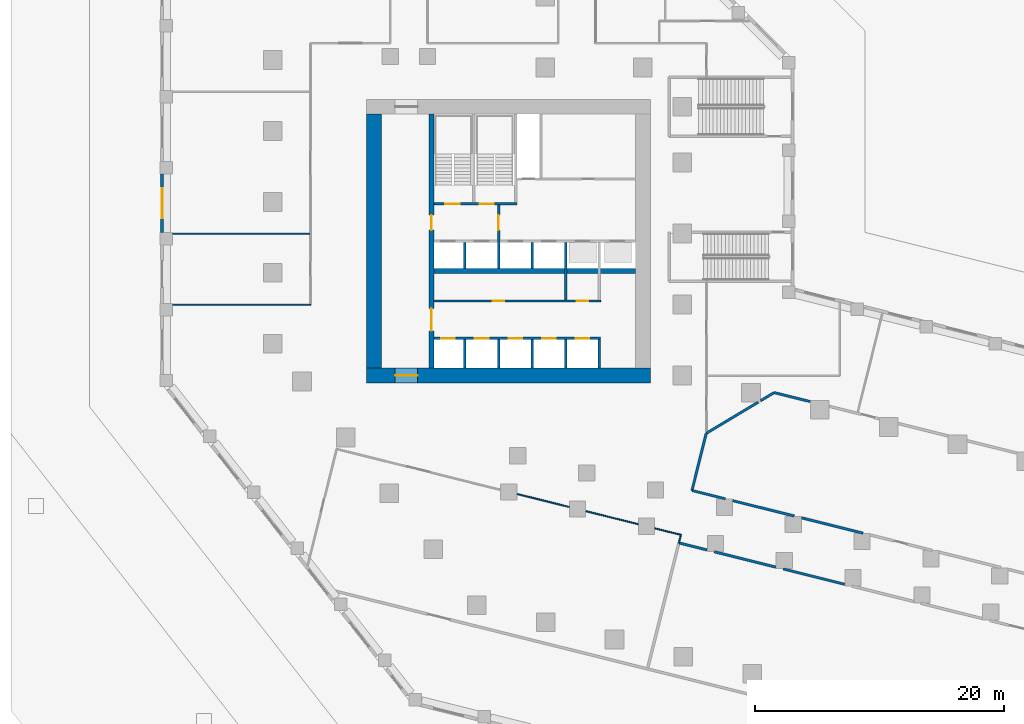
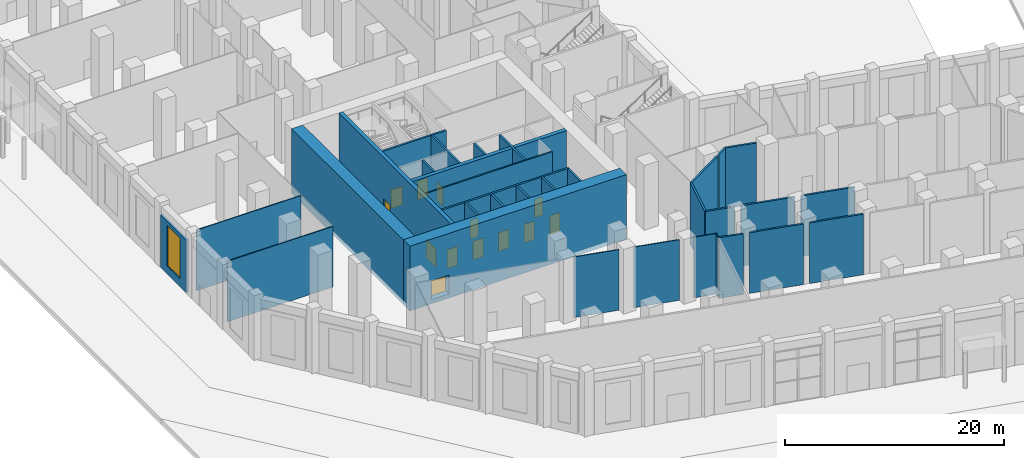
# One storey, part 12 of 27: 33 walls, 13 doors, 1 window, 14 openings.
"""IFC4 building model written with IfcOpenShell, lengths in metres."""

from ifc_helpers import new_model, si_unit, direction, frame, frame_2d, origin, place, context, subcontext, project, spatial, rectangle, extrude, material, layer, layer_set, type_object, element, fill, save


model = new_model("IFC4")

# Units and contexts
model_context = context("Model", 3, precision=1e-05, world=origin(), true_north=direction((0.0, 1.0)))
body_context = subcontext(model_context, "Body", "Model", "MODEL_VIEW")
ifc_project = project(units=[si_unit("LENGTHUNIT", "METRE"), si_unit("AREAUNIT", "SQUARE_METRE"), si_unit("VOLUMEUNIT", "CUBIC_METRE"), si_unit("PLANEANGLEUNIT", "RADIAN"), si_unit("MASSUNIT", "GRAM", prefix="KILO")], contexts=[model_context])

# Site, building, storey
site_placement = place(None, origin())
site = spatial("IfcSite", under=ifc_project, at=site_placement, CompositionType="ELEMENT")
building_placement = place(site_placement, origin())
building = spatial("IfcBuilding", under=site, at=building_placement, Name="Meshkara Civic Tower", CompositionType="ELEMENT")
storey_placement = place(building_placement, origin())
storey = spatial("IfcBuildingStorey", under=building, at=storey_placement, Name="L00", CompositionType="ELEMENT", Elevation=0.0)

# Wall, openings, doors
ifc_material_1 = material(Name="Blockwork", Category="masonry")
ifc_layer_1 = layer(ifc_material_1, 0.14990234375)
ifc_layer_set_1 = layer_set([ifc_layer_1], Name="Core partition 150")
wall_type_1 = type_object("IfcWallType", Name="Core partition 150", PredefinedType="PARTITIONING", material=ifc_layer_set_1)
wall_1_placement = place(storey_placement, frame((13.39990234375, 20.699951171875, 0.0), z_axis=(0.0, 0.0, 1.0), x_axis=(1.0, 0.0, 0.0)))
wall_1 = element("IfcWall", 1, at=wall_1_placement, inside=storey, type_object=wall_type_1, Name="L00-C006", PredefinedType="PARTITIONING", context=body_context, shape_type="SweptSolid", body=[
    extrude(rectangle(XDim=13.400146484375, YDim=0.14990234375, at=frame_2d((6.7001953125, 0.0))), origin(), (0.0, 0.0, 1.0), 6.75),
])
opening_1_placement = place(wall_1_placement, frame((4.75, 0.0, 0.0)))
opening_1 = element("IfcOpeningElement", 2, at=opening_1_placement, cuts=wall_1, Name="Opening L00-K012", PredefinedType="OPENING", context=body_context, shape_type="SweptSolid", body=[
    extrude(rectangle(XDim=0.89990234375, YDim=2.10009765625, at=frame_2d((0.449951171875, 1.050048828125))), frame((0.0, 0.0849609375, 0.0), z_axis=(0.0, -1.0, 0.0), x_axis=(1.0, 0.0, 0.0)), (0.0, 0.0, 1.0), 0.169921875),
])
opening_2_placement = place(wall_1_placement, frame((11.5, 0.0, 0.0)))
opening_2 = element("IfcOpeningElement", 3, at=opening_2_placement, cuts=wall_1, Name="Opening L00-K013", PredefinedType="OPENING", context=body_context, shape_type="SweptSolid", body=[
    extrude(rectangle(XDim=0.89990234375, YDim=2.10009765625, at=frame_2d((0.449951171875, 1.050048828125))), frame((0.0, 0.0849609375, 0.0), z_axis=(0.0, -1.0, 0.0), x_axis=(1.0, 0.0, 0.0)), (0.0, 0.0, 1.0), 0.169921875),
])
ifc_material_2 = material(Name="Timber door leaf in steel frame", Category="steel")
door_type_1 = type_object("IfcDoorType", Name="Core room door 900", OperationType="SINGLE_SWING_LEFT", PredefinedType="DOOR", material=ifc_material_2)
door_1_placement = place(opening_1_placement, origin())
door_1 = element("IfcDoor", 4, at=door_1_placement, inside=storey, type_object=door_type_1, Name="L00-K012", OperationType="SINGLE_SWING_RIGHT", OverallHeight=2.10009765625, OverallWidth=0.89990234375, PredefinedType="DOOR", context=body_context, shape_type="SweptSolid", body=[
    extrude(rectangle(XDim=0.89990234375, YDim=2.10009765625, at=frame_2d((0.449951171875, 1.050048828125))), frame((0.0, 0.02490234375, 0.0), z_axis=(0.0, -1.0, 0.0), x_axis=(1.0, 0.0, 0.0)), (0.0, 0.0, 1.0), 0.050048828125),
])
fill(opening_1, door_1)
door_2_placement = place(opening_2_placement, origin())
door_2 = element("IfcDoor", 5, at=door_2_placement, inside=storey, type_object=door_type_1, Name="L00-K013", OperationType="SINGLE_SWING_RIGHT", OverallHeight=2.10009765625, OverallWidth=0.89990234375, PredefinedType="DOOR", context=body_context, shape_type="SweptSolid", body=[
    extrude(rectangle(XDim=0.89990234375, YDim=2.10009765625, at=frame_2d((0.449951171875, 1.050048828125))), frame((0.0, 0.02490234375, 0.0), z_axis=(0.0, -1.0, 0.0), x_axis=(1.0, 0.0, 0.0)), (0.0, 0.0, 1.0), 0.050048828125),
])
fill(opening_2, door_2)

# Wall, opening, door
ifc_material_3 = material(Name="Concrete C80", Category="concrete")
ifc_layer_2 = layer(ifc_material_3, 1.199951171875)
ifc_layer_set_2 = layer_set([ifc_layer_2], Name="Core ring wall 1200 C80")
wall_type_2 = type_object("IfcWallType", Name="Core ring wall 1200 C80", PredefinedType="SHEAR", material=ifc_layer_set_2)
wall_2_placement = place(storey_placement, frame((8.0, 14.699951171875, -0.449951171875), z_axis=(0.0, 0.0, 1.0), x_axis=(1.0, 0.0, 0.0)))
wall_2 = element("IfcWall", 6, at=wall_2_placement, inside=storey, type_object=wall_type_2, Name="L00-C001", PredefinedType="SHEAR", context=body_context, shape_type="SweptSolid", body=[
    extrude(rectangle(XDim=22.800048828125, YDim=1.199951171875, at=frame_2d((11.39990234375, 0.0))), origin(), (0.0, 0.0, 1.0), 7.199951171875),
])
opening_3_placement = place(wall_2_placement, frame((2.300048828125, 0.0, 0.449951171875)))
opening_3 = element("IfcOpeningElement", 7, at=opening_3_placement, cuts=wall_2, Name="Opening L00-K022", PredefinedType="OPENING", context=body_context, shape_type="SweptSolid", body=[
    extrude(rectangle(XDim=1.800048828125, YDim=2.10009765625, at=frame_2d((0.89990234375, 1.050048828125))), frame((0.0, 0.60986328125, 0.0), z_axis=(0.0, -1.0, 0.0), x_axis=(1.0, 0.0, 0.0)), (0.0, 0.0, 1.0), 1.219970703125),
])
ifc_material_4 = material(Name="Fire-rated door leaf in steel frame", Category="steel")
door_type_2 = type_object("IfcDoorType", Name="Core double door 1800 EI 60", OperationType="DOUBLE_DOOR_SINGLE_SWING", PredefinedType="DOOR", material=ifc_material_4)
door_3_placement = place(opening_3_placement, origin())
door_3 = element("IfcDoor", 8, at=door_3_placement, inside=storey, type_object=door_type_2, Name="L00-K022", OperationType="DOUBLE_DOOR_SINGLE_SWING", OverallHeight=2.10009765625, OverallWidth=1.800048828125, PredefinedType="DOOR", context=body_context, shape_type="SweptSolid", body=[
    extrude(rectangle(XDim=1.800048828125, YDim=2.10009765625, at=frame_2d((0.89990234375, 1.050048828125))), frame((0.0, 0.02490234375, 0.0), z_axis=(0.0, -1.0, 0.0), x_axis=(1.0, 0.0, 0.0)), (0.0, 0.0, 1.0), 0.050048828125),
])
fill(opening_3, door_3)

# Walls
wall_3_placement = place(storey_placement, frame((8.60009765625, 15.300048828125, -0.449951171875), z_axis=(0.0, 0.0, 1.0), x_axis=(0.0, 1.0, 0.0)))
element("IfcWall", 9, at=wall_3_placement, inside=storey, type_object=wall_type_2, Name="L00-C003", PredefinedType="SHEAR", context=body_context, shape_type="SweptSolid", body=[
    extrude(rectangle(XDim=20.39990234375, YDim=1.199951171875, at=frame_2d((10.199951171875, 0.0))), origin(), (0.0, 0.0, 1.0), 7.199951171875),
])
ifc_material_5 = material(Name="Concrete C80", Category="concrete")
ifc_layer_3 = layer(ifc_material_5, 0.39990234375)
ifc_layer_set_3 = layer_set([ifc_layer_3], Name="Core shear wall 400 C80")
wall_type_3 = type_object("IfcWallType", Name="Core shear wall 400 C80", PredefinedType="SHEAR", material=ifc_layer_set_3)
wall_4_placement = place(storey_placement, frame((13.39990234375, 23.10009765625, 0.0), z_axis=(0.0, 0.0, 1.0), x_axis=(1.0, 0.0, 0.0)))
element("IfcWall", 10, at=wall_4_placement, inside=storey, type_object=wall_type_3, Name="L00-C007", PredefinedType="SHEAR", context=body_context, shape_type="SweptSolid", body=[
    extrude(rectangle(XDim=16.2001953125, YDim=0.39990234375, at=frame_2d((8.10009765625, 0.0))), origin(), (0.0, 0.0, 1.0), 6.75),
])

# Wall, openings, doors
wall_5_placement = place(storey_placement, frame((13.199951171875, 15.300048828125, 0.0), z_axis=(0.0, 0.0, 1.0), x_axis=(0.0, 1.0, 0.0)))
wall_5 = element("IfcWall", 11, at=wall_5_placement, inside=storey, type_object=wall_type_3, Name="L00-C011", PredefinedType="SHEAR", context=body_context, shape_type="SweptSolid", body=[
    extrude(rectangle(XDim=20.39990234375, YDim=0.39990234375, at=frame_2d((10.199951171875, 0.0))), origin(), (0.0, 0.0, 1.0), 6.75),
])
opening_4_placement = place(wall_5_placement, frame((3.0, 0.0, 0.0)))
opening_4 = element("IfcOpeningElement", 12, at=opening_4_placement, cuts=wall_5, Name="Opening L00-K018", PredefinedType="OPENING", context=body_context, shape_type="SweptSolid", body=[
    extrude(rectangle(XDim=1.800048828125, YDim=2.10009765625, at=frame_2d((0.89990234375, 1.050048828125))), frame((0.0, 0.2099609375, 0.0), z_axis=(0.0, -1.0, 0.0), x_axis=(1.0, 0.0, 0.0)), (0.0, 0.0, 1.0), 0.419921875),
])
opening_5_placement = place(wall_5_placement, frame((11.10009765625, 0.0, 0.0)))
opening_5 = element("IfcOpeningElement", 13, at=opening_5_placement, cuts=wall_5, Name="Opening L00-K019", PredefinedType="OPENING", context=body_context, shape_type="SweptSolid", body=[
    extrude(rectangle(XDim=1.199951171875, YDim=2.10009765625, at=frame_2d((0.60009765625, 1.050048828125))), frame((0.0, 0.2099609375, 0.0), z_axis=(0.0, -1.0, 0.0), x_axis=(1.0, 0.0, 0.0)), (0.0, 0.0, 1.0), 0.419921875),
])
door_4_placement = place(opening_4_placement, origin())
door_4 = element("IfcDoor", 14, at=door_4_placement, inside=storey, type_object=door_type_2, Name="L00-K018", OperationType="DOUBLE_DOOR_SINGLE_SWING", OverallHeight=2.10009765625, OverallWidth=1.800048828125, PredefinedType="DOOR", context=body_context, shape_type="SweptSolid", body=[
    extrude(rectangle(XDim=1.800048828125, YDim=2.10009765625, at=frame_2d((0.89990234375, 1.050048828125))), frame((0.0, 0.02490234375, 0.0), z_axis=(0.0, -1.0, 0.0), x_axis=(1.0, 0.0, 0.0)), (0.0, 0.0, 1.0), 0.050048828125),
])
fill(opening_4, door_4)
ifc_material_6 = material(Name="Fire-rated door leaf in steel frame", Category="steel")
door_type_3 = type_object("IfcDoorType", Name="Fire-fighting lobby door 1200 EI 120", OperationType="SINGLE_SWING_LEFT", PredefinedType="DOOR", material=ifc_material_6)
door_5_placement = place(opening_5_placement, origin())
door_5 = element("IfcDoor", 15, at=door_5_placement, inside=storey, type_object=door_type_3, Name="L00-K019", OperationType="SINGLE_SWING_LEFT", OverallHeight=2.10009765625, OverallWidth=1.199951171875, PredefinedType="DOOR", context=body_context, shape_type="SweptSolid", body=[
    extrude(rectangle(XDim=1.199951171875, YDim=2.10009765625, at=frame_2d((0.60009765625, 1.050048828125))), frame((0.0, 0.02490234375, 0.0), z_axis=(0.0, -1.0, 0.0), x_axis=(1.0, 0.0, 0.0)), (0.0, 0.0, 1.0), 0.050048828125),
])
fill(opening_5, door_5)

# Walls
ifc_material_7 = material(Name="Corridor wall 100")
ifc_layer_4 = layer(ifc_material_7, 0.10009765625)
ifc_layer_set_4 = layer_set([ifc_layer_4], Name="Corridor wall 100")
wall_type_4 = type_object("IfcWallType", Name="Corridor wall 100", PredefinedType="PARTITIONING", material=ifc_layer_set_4)
wall_6_placement = place(storey_placement, frame((3.5, 20.39990234375, 0.0), z_axis=(0.0, 0.0, 1.0), x_axis=(-1.0, 0.0, 0.0)))
element("IfcWall", 16, at=wall_6_placement, inside=storey, type_object=wall_type_4, Name="L00-R007", PredefinedType="PARTITIONING", context=body_context, shape_type="SweptSolid", body=[
    extrude(rectangle(XDim=11.080078125, YDim=0.10009765625, at=frame_2d((5.5400390625, 0.0))), origin(), (0.0, 0.0, 1.0), 6.75),
])
wall_7_placement = place(storey_placement, frame((20.093994140625, 5.193115234375, 0.0), z_axis=(0.0, 0.0, 1.0), x_axis=(0.970321828551, -0.241817181023, 0.0)))
element("IfcWall", 17, at=wall_7_placement, inside=storey, type_object=wall_type_4, Name="L00-R028", PredefinedType="PARTITIONING", context=body_context, shape_type="SweptSolid", body=[
    extrude(rectangle(XDim=4.318115234375, YDim=0.10009765625, at=frame_2d((2.1591796875, 0.0))), origin(), (0.0, 0.0, 1.0), 6.75),
])
wall_8_placement = place(storey_placement, frame((25.6240234375, 3.81396484375, 0.0), z_axis=(0.0, 0.0, 1.0), x_axis=(0.970295255208, -0.241923784941, 0.0)))
element("IfcWall", 18, at=wall_8_placement, inside=storey, type_object=wall_type_4, Name="L00-R034", PredefinedType="PARTITIONING", context=body_context, shape_type="SweptSolid", body=[
    extrude(rectangle(XDim=4.3193359375, YDim=0.10009765625, at=frame_2d((2.15966796875, 0.0))), origin(), (0.0, 0.0, 1.0), 6.75),
])
wall_9_placement = place(storey_placement, frame((31.155029296875, 2.43505859375, 0.0), z_axis=(0.0, 0.0, 1.0), x_axis=(0.970335093604, -0.241763947107, 0.0)))
element("IfcWall", 19, at=wall_9_placement, inside=storey, type_object=wall_type_4, Name="L00-R038", PredefinedType="PARTITIONING", context=body_context, shape_type="SweptSolid", body=[
    extrude(rectangle(XDim=2.158935546875, YDim=0.10009765625, at=frame_2d((1.07958984375, 0.0))), origin(), (0.0, 0.0, 1.0), 6.75),
])
wall_10_placement = place(storey_placement, frame((33.25, 1.9130859375, 0.0), z_axis=(0.0, 0.0, 1.0), x_axis=(-0.241599410153, -0.970376074011, 0.0)))
element("IfcWall", 20, at=wall_10_placement, inside=storey, type_object=wall_type_4, Name="L00-R043", PredefinedType="PARTITIONING", context=body_context, shape_type="SweptSolid", body=[
    extrude(rectangle(XDim=0.675048828125, YDim=0.10009765625, at=frame_2d((0.33740234375, 0.0))), origin(), (0.0, 0.0, 1.0), 6.75),
])
ifc_material_8 = material(Name="Fire-rated wall 200")
ifc_layer_5 = layer(ifc_material_8, 0.199951171875)
ifc_layer_set_5 = layer_set([ifc_layer_5], Name="Fire-rated wall 200")
wall_type_5 = type_object("IfcWallType", Name="Fire-rated wall 200", PredefinedType="PARTITIONING", material=ifc_layer_set_5)
wall_11_placement = place(storey_placement, frame((33.087890625, 1.261962890625, 0.0), z_axis=(0.0, 0.0, 1.0), x_axis=(0.970296580741, -0.241918468503, 0.0)))
element("IfcWall", 21, at=wall_11_placement, inside=storey, type_object=wall_type_5, Name="L00-R042", PredefinedType="PARTITIONING", context=body_context, shape_type="SweptSolid", body=[
    extrude(rectangle(XDim=2.3271484375, YDim=0.199951171875, at=frame_2d((1.16357421875, 0.0))), origin(), (0.0, 0.0, 1.0), 6.75),
])
wall_12_placement = place(storey_placement, frame((34.138916015625, 5.47412109375, 0.0), z_axis=(0.0, 0.0, 1.0), x_axis=(0.241903954762, 0.970300199253, 0.0)))
element("IfcWall", 22, at=wall_12_placement, inside=storey, type_object=wall_type_5, Name="L00-R045", PredefinedType="PARTITIONING", context=body_context, shape_type="SweptSolid", body=[
    extrude(rectangle(XDim=4.729248046875, YDim=0.199951171875, at=frame_2d((2.36474609375, 0.0))), origin(), (0.0, 0.0, 1.0), 6.75),
])
wall_13_placement = place(storey_placement, frame((35.931884765625, 0.552978515625, 0.0), z_axis=(0.0, 0.0, 1.0), x_axis=(0.970286068757, -0.241960626499, 0.0)))
element("IfcWall", 23, at=wall_13_placement, inside=storey, type_object=wall_type_5, Name="L00-R049", PredefinedType="PARTITIONING", context=body_context, shape_type="SweptSolid", body=[
    extrude(rectangle(XDim=5.095458984375, YDim=0.199951171875, at=frame_2d((2.5478515625, 0.0))), origin(), (0.0, 0.0, 1.0), 6.75),
])
wall_14_placement = place(storey_placement, frame((36.825927734375, 4.803955078125, 0.0), z_axis=(0.0, 0.0, 1.0), x_axis=(-0.970277181538, 0.241996262341, 0.0)))
element("IfcWall", 24, at=wall_14_placement, inside=storey, type_object=wall_type_5, Name="L00-R050", PredefinedType="PARTITIONING", context=body_context, shape_type="SweptSolid", body=[
    extrude(rectangle(XDim=2.769287109375, YDim=0.199951171875, at=frame_2d((1.384765625, 0.0))), origin(), (0.0, 0.0, 1.0), 6.75),
])
wall_15_placement = place(storey_placement, frame((41.462890625, -0.825927734375, 0.0), z_axis=(0.0, 0.0, 1.0), x_axis=(0.970274819256, -0.242005733646, 0.0)))
element("IfcWall", 25, at=wall_15_placement, inside=storey, type_object=wall_type_5, Name="L00-R051", PredefinedType="PARTITIONING", context=body_context, shape_type="SweptSolid", body=[
    extrude(rectangle(XDim=5.095458984375, YDim=0.199951171875, at=frame_2d((2.5478515625, 0.0))), origin(), (0.0, 0.0, 1.0), 6.75),
])
wall_16_placement = place(storey_placement, frame((42.35693359375, 3.425048828125, 0.0), z_axis=(0.0, 0.0, 1.0), x_axis=(-0.970294482188, 0.241926885309, 0.0)))
element("IfcWall", 26, at=wall_16_placement, inside=storey, type_object=wall_type_5, Name="L00-R053", PredefinedType="PARTITIONING", context=body_context, shape_type="SweptSolid", body=[
    extrude(rectangle(XDim=5.09619140625, YDim=0.199951171875, at=frame_2d((2.548095703125, 0.0))), origin(), (0.0, 0.0, 1.0), 6.75),
])
wall_17_placement = place(storey_placement, frame((47.887939453125, 2.0458984375, 0.0), z_axis=(0.0, 0.0, 1.0), x_axis=(-0.970297255356, 0.241915762713, 0.0)))
element("IfcWall", 27, at=wall_17_placement, inside=storey, type_object=wall_type_5, Name="L00-R055", PredefinedType="PARTITIONING", context=body_context, shape_type="SweptSolid", body=[
    extrude(rectangle(XDim=5.097412109375, YDim=0.199951171875, at=frame_2d((2.548828125, 0.0))), origin(), (0.0, 0.0, 1.0), 6.75),
])
wall_18_placement = place(storey_placement, frame((39.455078125, 12.570068359375, 0.0), z_axis=(0.0, 0.0, 1.0), x_axis=(-0.857123872191, -0.515110345189, 0.0)))
element("IfcWall", 28, at=wall_18_placement, inside=storey, type_object=wall_type_5, Name="L00-R103", PredefinedType="PARTITIONING", context=body_context, shape_type="SweptSolid", body=[
    extrude(rectangle(XDim=4.84765625, YDim=0.199951171875, at=frame_2d((2.423828125, 0.0))), origin(), (0.0, 0.0, 1.0), 6.75),
])
wall_19_placement = place(storey_placement, frame((40.738037109375, 13.341064453125, 0.0), z_axis=(0.0, 0.0, 1.0), x_axis=(-0.8572210355, -0.51494863462, 0.0)))
element("IfcWall", 29, at=wall_19_placement, inside=storey, type_object=wall_type_5, Name="L00-R104", PredefinedType="PARTITIONING", context=body_context, shape_type="SweptSolid", body=[
    extrude(rectangle(XDim=1.268310546875, YDim=0.199951171875, at=frame_2d((0.63427734375, 0.0))), origin(), (0.0, 0.0, 1.0), 6.75),
])
wall_20_placement = place(storey_placement, frame((43.64111328125, 12.616943359375, 0.0), z_axis=(0.0, 0.0, 1.0), x_axis=(-0.970271957157, 0.242017208387, 0.0)))
element("IfcWall", 30, at=wall_20_placement, inside=storey, type_object=wall_type_5, Name="L00-R106", PredefinedType="PARTITIONING", context=body_context, shape_type="SweptSolid", body=[
    extrude(rectangle(XDim=2.991943359375, YDim=0.199951171875, at=frame_2d((1.49609375, 0.0))), origin(), (0.0, 0.0, 1.0), 6.75),
])

# Wall, opening, window
ifc_material_9 = material(Name="Stone cladding on insulated backing wall", Category="masonry")
ifc_layer_6 = layer(ifc_material_9, 0.25)
ifc_layer_set_6 = layer_set([ifc_layer_6], Name="PODIUM STONE WALL 250")
wall_type_6 = type_object("IfcWallType", Name="PODIUM STONE WALL 250", PredefinedType="SOLIDWALL", material=ifc_layer_set_6)
wall_21_placement = place(storey_placement, frame((-8.425048828125, 30.910888671875, 0.0), z_axis=(0.0, 0.0, 1.0), x_axis=(0.0, -1.0, 0.0)))
wall_21 = element("IfcWall", 31, at=wall_21_placement, inside=storey, type_object=wall_type_6, Name="Podium external wall", PredefinedType="SOLIDWALL", context=body_context, shape_type="SweptSolid", body=[
    extrude(rectangle(XDim=4.699951171875, YDim=0.25, at=frame_2d((2.35009765625, 0.0))), origin(), (0.0, 0.0, 1.0), 5.85009765625),
])
opening_6_placement = place(wall_21_placement, frame((1.14990234375, 0.0, 0.89990234375)))
opening_6 = element("IfcOpeningElement", 32, at=opening_6_placement, cuts=wall_21, Name="Opening PW1", PredefinedType="OPENING", context=body_context, shape_type="SweptSolid", body=[
    extrude(rectangle(XDim=2.39990234375, YDim=4.5, at=frame_2d((1.199951171875, 2.25))), frame((0.0, 0.135009765625, 0.0), z_axis=(0.0, -1.0, 0.0), x_axis=(1.0, 0.0, 0.0)), (0.0, 0.0, 1.0), 0.27001953125),
])
ifc_material_10 = material(Name="Tinted double glazing", Category="glass")
window_type = type_object("IfcWindowType", Name="PODIUM WINDOW 2400x4500", PartitioningType="DOUBLE_PANEL_VERTICAL", PredefinedType="WINDOW", material=ifc_material_10)
window_placement = place(opening_6_placement, origin())
window = element("IfcWindow", 33, at=window_placement, inside=storey, type_object=window_type, Name="Podium window", OverallHeight=4.5, OverallWidth=2.39990234375, PartitioningType="DOUBLE_PANEL_VERTICAL", PredefinedType="WINDOW", context=body_context, shape_type="SweptSolid", body=[
    extrude(rectangle(XDim=2.39990234375, YDim=4.5, at=frame_2d((1.199951171875, 2.25))), frame((0.0, 0.030029296875, 0.0), z_axis=(0.0, -1.0, 0.0), x_axis=(1.0, 0.0, 0.0)), (0.0, 0.0, 1.0), 0.06005859375),
])
fill(opening_6, window)

# Wall
ifc_material_11 = material(Name="Partition 100")
ifc_layer_7 = layer(ifc_material_11, 0.10009765625)
ifc_layer_set_7 = layer_set([ifc_layer_7], Name="Partition 100")
wall_type_7 = type_object("IfcWallType", Name="Partition 100", PredefinedType="PARTITIONING", material=ifc_layer_set_7)
wall_22_placement = place(storey_placement, frame((3.449951171875, 26.10009765625, 0.0), z_axis=(0.0, 0.0, 1.0), x_axis=(-1.0, 0.0, 0.0)))
element("IfcWall", 34, at=wall_22_placement, inside=storey, type_object=wall_type_7, Name="L00-R084", PredefinedType="PARTITIONING", context=body_context, shape_type="SweptSolid", body=[
    extrude(rectangle(XDim=11.030029296875, YDim=0.10009765625, at=frame_2d((5.51513671875, 0.0))), origin(), (0.0, 0.0, 1.0), 6.75),
])

# Wall, openings, doors
ifc_material_12 = material(Name="Concrete C40/50", Category="concrete")
ifc_layer_8 = layer(ifc_material_12, 0.199951171875)
ifc_layer_set_8 = layer_set([ifc_layer_8], Name="Shaft wall 200 C40/50")
wall_type_8 = type_object("IfcWallType", Name="Shaft wall 200 C40/50", PredefinedType="SOLIDWALL", material=ifc_layer_set_8)
wall_23_placement = place(storey_placement, frame((13.39990234375, 17.699951171875, 0.0), z_axis=(0.0, 0.0, 1.0), x_axis=(1.0, 0.0, 0.0)))
wall_23 = element("IfcWall", 35, at=wall_23_placement, inside=storey, type_object=wall_type_8, Name="L00-C005", PredefinedType="SOLIDWALL", context=body_context, shape_type="SweptSolid", body=[
    extrude(rectangle(XDim=13.400146484375, YDim=0.199951171875, at=frame_2d((6.7001953125, 0.0))), origin(), (0.0, 0.0, 1.0), 6.75),
])
opening_7_placement = place(wall_23_placement, frame((0.60009765625, 0.0, 0.0)))
opening_7 = element("IfcOpeningElement", 36, at=opening_7_placement, cuts=wall_23, Name="Opening L00-K001", PredefinedType="OPENING", context=body_context, shape_type="SweptSolid", body=[
    extrude(rectangle(XDim=1.10009765625, YDim=2.10009765625, at=frame_2d((0.550048828125, 1.050048828125))), frame((0.0, 0.10986328125, 0.0), z_axis=(0.0, -1.0, 0.0), x_axis=(1.0, 0.0, 0.0)), (0.0, 0.0, 1.0), 0.219970703125),
])
opening_8_placement = place(wall_23_placement, frame((3.300048828125, 0.0, 0.0)))
opening_8 = element("IfcOpeningElement", 37, at=opening_8_placement, cuts=wall_23, Name="Opening L00-K002", PredefinedType="OPENING", context=body_context, shape_type="SweptSolid", body=[
    extrude(rectangle(XDim=1.10009765625, YDim=2.10009765625, at=frame_2d((0.550048828125, 1.050048828125))), frame((0.0, 0.10986328125, 0.0), z_axis=(0.0, -1.0, 0.0), x_axis=(1.0, 0.0, 0.0)), (0.0, 0.0, 1.0), 0.219970703125),
])
opening_9_placement = place(wall_23_placement, frame((6.0, 0.0, 0.0)))
opening_9 = element("IfcOpeningElement", 38, at=opening_9_placement, cuts=wall_23, Name="Opening L00-K003", PredefinedType="OPENING", context=body_context, shape_type="SweptSolid", body=[
    extrude(rectangle(XDim=1.10009765625, YDim=2.10009765625, at=frame_2d((0.550048828125, 1.050048828125))), frame((0.0, 0.10986328125, 0.0), z_axis=(0.0, -1.0, 0.0), x_axis=(1.0, 0.0, 0.0)), (0.0, 0.0, 1.0), 0.219970703125),
])
opening_10_placement = place(wall_23_placement, frame((8.699951171875, 0.0, 0.0)))
opening_10 = element("IfcOpeningElement", 39, at=opening_10_placement, cuts=wall_23, Name="Opening L00-K004", PredefinedType="OPENING", context=body_context, shape_type="SweptSolid", body=[
    extrude(rectangle(XDim=1.10009765625, YDim=2.10009765625, at=frame_2d((0.550048828125, 1.050048828125))), frame((0.0, 0.10986328125, 0.0), z_axis=(0.0, -1.0, 0.0), x_axis=(1.0, 0.0, 0.0)), (0.0, 0.0, 1.0), 0.219970703125),
])
opening_11_placement = place(wall_23_placement, frame((11.39990234375, 0.0, 0.0)))
opening_11 = element("IfcOpeningElement", 40, at=opening_11_placement, cuts=wall_23, Name="Opening L00-K005", PredefinedType="OPENING", context=body_context, shape_type="SweptSolid", body=[
    extrude(rectangle(XDim=1.10009765625, YDim=2.10009765625, at=frame_2d((0.550048828125, 1.050048828125))), frame((0.0, 0.10986328125, 0.0), z_axis=(0.0, -1.0, 0.0), x_axis=(1.0, 0.0, 0.0)), (0.0, 0.0, 1.0), 0.219970703125),
])
ifc_material_13 = material(Name="Stainless steel landing door", Category="steel")
door_type_4 = type_object("IfcDoorType", Name="Lift landing door 1100", OperationType="SLIDING_TO_LEFT", PredefinedType="DOOR", material=ifc_material_13)
door_6_placement = place(opening_7_placement, origin())
door_6 = element("IfcDoor", 41, at=door_6_placement, inside=storey, type_object=door_type_4, Name="L00-K001", OperationType="SLIDING_TO_LEFT", OverallHeight=2.10009765625, OverallWidth=1.10009765625, PredefinedType="DOOR", context=body_context, shape_type="SweptSolid", body=[
    extrude(rectangle(XDim=1.10009765625, YDim=2.10009765625, at=frame_2d((0.550048828125, 1.050048828125))), frame((0.0, 0.02490234375, 0.0), z_axis=(0.0, -1.0, 0.0), x_axis=(1.0, 0.0, 0.0)), (0.0, 0.0, 1.0), 0.050048828125),
])
fill(opening_7, door_6)
door_7_placement = place(opening_8_placement, origin())
door_7 = element("IfcDoor", 42, at=door_7_placement, inside=storey, type_object=door_type_4, Name="L00-K002", OperationType="SLIDING_TO_LEFT", OverallHeight=2.10009765625, OverallWidth=1.10009765625, PredefinedType="DOOR", context=body_context, shape_type="SweptSolid", body=[
    extrude(rectangle(XDim=1.10009765625, YDim=2.10009765625, at=frame_2d((0.550048828125, 1.050048828125))), frame((0.0, 0.02490234375, 0.0), z_axis=(0.0, -1.0, 0.0), x_axis=(1.0, 0.0, 0.0)), (0.0, 0.0, 1.0), 0.050048828125),
])
fill(opening_8, door_7)
door_8_placement = place(opening_9_placement, origin())
door_8 = element("IfcDoor", 43, at=door_8_placement, inside=storey, type_object=door_type_4, Name="L00-K003", OperationType="SLIDING_TO_LEFT", OverallHeight=2.10009765625, OverallWidth=1.10009765625, PredefinedType="DOOR", context=body_context, shape_type="SweptSolid", body=[
    extrude(rectangle(XDim=1.10009765625, YDim=2.10009765625, at=frame_2d((0.550048828125, 1.050048828125))), frame((0.0, 0.02490234375, 0.0), z_axis=(0.0, -1.0, 0.0), x_axis=(1.0, 0.0, 0.0)), (0.0, 0.0, 1.0), 0.050048828125),
])
fill(opening_9, door_8)
door_9_placement = place(opening_10_placement, origin())
door_9 = element("IfcDoor", 44, at=door_9_placement, inside=storey, type_object=door_type_4, Name="L00-K004", OperationType="SLIDING_TO_LEFT", OverallHeight=2.10009765625, OverallWidth=1.10009765625, PredefinedType="DOOR", context=body_context, shape_type="SweptSolid", body=[
    extrude(rectangle(XDim=1.10009765625, YDim=2.10009765625, at=frame_2d((0.550048828125, 1.050048828125))), frame((0.0, 0.02490234375, 0.0), z_axis=(0.0, -1.0, 0.0), x_axis=(1.0, 0.0, 0.0)), (0.0, 0.0, 1.0), 0.050048828125),
])
fill(opening_10, door_9)
door_10_placement = place(opening_11_placement, origin())
door_10 = element("IfcDoor", 45, at=door_10_placement, inside=storey, type_object=door_type_4, Name="L00-K005", OperationType="SLIDING_TO_LEFT", OverallHeight=2.10009765625, OverallWidth=1.10009765625, PredefinedType="DOOR", context=body_context, shape_type="SweptSolid", body=[
    extrude(rectangle(XDim=1.10009765625, YDim=2.10009765625, at=frame_2d((0.550048828125, 1.050048828125))), frame((0.0, 0.02490234375, 0.0), z_axis=(0.0, -1.0, 0.0), x_axis=(1.0, 0.0, 0.0)), (0.0, 0.0, 1.0), 0.050048828125),
])
fill(opening_11, door_10)

# Walls
wall_24_placement = place(storey_placement, frame((15.89990234375, 15.300048828125, 0.0), z_axis=(0.0, 0.0, 1.0), x_axis=(0.0, 1.0, 0.0)))
element("IfcWall", 46, at=wall_24_placement, inside=storey, type_object=wall_type_8, Name="L00-C012", PredefinedType="SOLIDWALL", context=body_context, shape_type="SweptSolid", body=[
    extrude(rectangle(XDim=2.300048828125, YDim=0.199951171875, at=frame_2d((1.14990234375, 0.0))), origin(), (0.0, 0.0, 1.0), 6.75),
])
wall_25_placement = place(storey_placement, frame((15.89990234375, 23.300048828125, 0.0), z_axis=(0.0, 0.0, 1.0), x_axis=(0.0, 1.0, 0.0)))
element("IfcWall", 47, at=wall_25_placement, inside=storey, type_object=wall_type_8, Name="L00-C013", PredefinedType="SOLIDWALL", context=body_context, shape_type="SweptSolid", body=[
    extrude(rectangle(XDim=2.099853515625, YDim=0.199951171875, at=frame_2d((1.0498046875, 0.0))), origin(), (0.0, 0.0, 1.0), 6.75),
])
wall_26_placement = place(storey_placement, frame((18.60009765625, 15.300048828125, 0.0), z_axis=(0.0, 0.0, 1.0), x_axis=(0.0, 1.0, 0.0)))
element("IfcWall", 48, at=wall_26_placement, inside=storey, type_object=wall_type_8, Name="L00-C015", PredefinedType="SOLIDWALL", context=body_context, shape_type="SweptSolid", body=[
    extrude(rectangle(XDim=2.300048828125, YDim=0.199951171875, at=frame_2d((1.14990234375, 0.0))), origin(), (0.0, 0.0, 1.0), 6.75),
])

# Wall, opening, door
wall_27_placement = place(storey_placement, frame((18.60009765625, 23.300048828125, 0.0), z_axis=(0.0, 0.0, 1.0), x_axis=(0.0, 1.0, 0.0)))
wall_27 = element("IfcWall", 49, at=wall_27_placement, inside=storey, type_object=wall_type_8, Name="L00-C016", PredefinedType="SOLIDWALL", context=body_context, shape_type="SweptSolid", body=[
    extrude(rectangle(XDim=5.099853515625, YDim=0.199951171875, at=frame_2d((2.5498046875, 0.0))), origin(), (0.0, 0.0, 1.0), 6.75),
])
opening_12_placement = place(wall_27_placement, frame((3.10009765625, 0.0, 0.0)))
opening_12 = element("IfcOpeningElement", 50, at=opening_12_placement, cuts=wall_27, Name="Opening L00-K020", PredefinedType="OPENING", context=body_context, shape_type="SweptSolid", body=[
    extrude(rectangle(XDim=1.199951171875, YDim=2.10009765625, at=frame_2d((0.60009765625, 1.050048828125))), frame((0.0, 0.10986328125, 0.0), z_axis=(0.0, -1.0, 0.0), x_axis=(1.0, 0.0, 0.0)), (0.0, 0.0, 1.0), 0.219970703125),
])
door_11_placement = place(opening_12_placement, origin())
door_11 = element("IfcDoor", 51, at=door_11_placement, inside=storey, type_object=door_type_3, Name="L00-K020", OperationType="SINGLE_SWING_RIGHT", OverallHeight=2.10009765625, OverallWidth=1.199951171875, PredefinedType="DOOR", context=body_context, shape_type="SweptSolid", body=[
    extrude(rectangle(XDim=1.199951171875, YDim=2.10009765625, at=frame_2d((0.60009765625, 1.050048828125))), frame((0.0, 0.02490234375, 0.0), z_axis=(0.0, -1.0, 0.0), x_axis=(1.0, 0.0, 0.0)), (0.0, 0.0, 1.0), 0.050048828125),
])
fill(opening_12, door_11)

# Walls
wall_28_placement = place(storey_placement, frame((21.300048828125, 15.300048828125, 0.0), z_axis=(0.0, 0.0, 1.0), x_axis=(0.0, 1.0, 0.0)))
element("IfcWall", 52, at=wall_28_placement, inside=storey, type_object=wall_type_8, Name="L00-C018", PredefinedType="SOLIDWALL", context=body_context, shape_type="SweptSolid", body=[
    extrude(rectangle(XDim=2.300048828125, YDim=0.199951171875, at=frame_2d((1.14990234375, 0.0))), origin(), (0.0, 0.0, 1.0), 6.75),
])
wall_29_placement = place(storey_placement, frame((21.300048828125, 23.300048828125, 0.0), z_axis=(0.0, 0.0, 1.0), x_axis=(0.0, 1.0, 0.0)))
element("IfcWall", 53, at=wall_29_placement, inside=storey, type_object=wall_type_8, Name="L00-C019", PredefinedType="SOLIDWALL", context=body_context, shape_type="SweptSolid", body=[
    extrude(rectangle(XDim=2.099853515625, YDim=0.199951171875, at=frame_2d((1.0498046875, 0.0))), origin(), (0.0, 0.0, 1.0), 6.75),
])
wall_30_placement = place(storey_placement, frame((24.0, 15.300048828125, 0.0), z_axis=(0.0, 0.0, 1.0), x_axis=(0.0, 1.0, 0.0)))
element("IfcWall", 54, at=wall_30_placement, inside=storey, type_object=wall_type_8, Name="L00-C021", PredefinedType="SOLIDWALL", context=body_context, shape_type="SweptSolid", body=[
    extrude(rectangle(XDim=2.300048828125, YDim=0.199951171875, at=frame_2d((1.14990234375, 0.0))), origin(), (0.0, 0.0, 1.0), 6.75),
])
wall_31_placement = place(storey_placement, frame((24.0, 20.77490234375, 0.0), z_axis=(0.0, 0.0, 1.0), x_axis=(0.0, 1.0, 0.0)))
element("IfcWall", 55, at=wall_31_placement, inside=storey, type_object=wall_type_8, Name="L00-C022", PredefinedType="SOLIDWALL", context=body_context, shape_type="SweptSolid", body=[
    extrude(rectangle(XDim=4.625, YDim=0.199951171875, at=frame_2d((2.3125, 0.0))), origin(), (0.0, 0.0, 1.0), 6.75),
])
wall_32_placement = place(storey_placement, frame((26.699951171875, 15.300048828125, 0.0), z_axis=(0.0, 0.0, 1.0), x_axis=(0.0, 1.0, 0.0)))
element("IfcWall", 56, at=wall_32_placement, inside=storey, type_object=wall_type_8, Name="L00-C023", PredefinedType="SOLIDWALL", context=body_context, shape_type="SweptSolid", body=[
    extrude(rectangle(XDim=2.300048828125, YDim=0.199951171875, at=frame_2d((1.14990234375, 0.0))), origin(), (0.0, 0.0, 1.0), 6.75),
])

# Wall, openings, doors
ifc_material_14 = material(Name="Concrete C40/50", Category="concrete")
ifc_layer_9 = layer(ifc_material_14, 0.199951171875)
ifc_layer_set_9 = layer_set([ifc_layer_9], Name="Stair enclosure wall 200 C40/50")
wall_type_9 = type_object("IfcWallType", Name="Stair enclosure wall 200 C40/50", PredefinedType="SOLIDWALL", material=ifc_layer_set_9)
wall_33_placement = place(storey_placement, frame((13.39990234375, 28.5, 0.0), z_axis=(0.0, 0.0, 1.0), x_axis=(1.0, 0.0, 0.0)))
wall_33 = element("IfcWall", 57, at=wall_33_placement, inside=storey, type_object=wall_type_9, Name="L00-C009", PredefinedType="SOLIDWALL", context=body_context, shape_type="SweptSolid", body=[
    extrude(rectangle(XDim=6.7001953125, YDim=0.199951171875, at=frame_2d((3.35009765625, 0.0))), origin(), (0.0, 0.0, 1.0), 6.75),
])
opening_13_placement = place(wall_33_placement, frame((0.89990234375, 0.0, 0.0)))
opening_13 = element("IfcOpeningElement", 58, at=opening_13_placement, cuts=wall_33, Name="Opening L00-K016", PredefinedType="OPENING", context=body_context, shape_type="SweptSolid", body=[
    extrude(rectangle(XDim=1.199951171875, YDim=2.10009765625, at=frame_2d((0.60009765625, 1.050048828125))), frame((0.0, 0.10986328125, 0.0), z_axis=(0.0, -1.0, 0.0), x_axis=(1.0, 0.0, 0.0)), (0.0, 0.0, 1.0), 0.219970703125),
])
opening_14_placement = place(wall_33_placement, frame((3.699951171875, 0.0, 0.0)))
opening_14 = element("IfcOpeningElement", 59, at=opening_14_placement, cuts=wall_33, Name="Opening L00-K017", PredefinedType="OPENING", context=body_context, shape_type="SweptSolid", body=[
    extrude(rectangle(XDim=1.10009765625, YDim=2.10009765625, at=frame_2d((0.550048828125, 1.050048828125))), frame((0.0, 0.10986328125, 0.0), z_axis=(0.0, -1.0, 0.0), x_axis=(1.0, 0.0, 0.0)), (0.0, 0.0, 1.0), 0.219970703125),
])
ifc_material_15 = material(Name="Fire-rated door leaf in steel frame", Category="steel")
door_type_5 = type_object("IfcDoorType", Name="Stair door 1100 EI 120", OperationType="SINGLE_SWING_LEFT", PredefinedType="DOOR", material=ifc_material_15)
door_12_placement = place(opening_14_placement, origin())
door_12 = element("IfcDoor", 60, at=door_12_placement, inside=storey, type_object=door_type_5, Name="L00-K017", OperationType="SINGLE_SWING_LEFT", OverallHeight=2.10009765625, OverallWidth=1.10009765625, PredefinedType="DOOR", context=body_context, shape_type="SweptSolid", body=[
    extrude(rectangle(XDim=1.10009765625, YDim=2.10009765625, at=frame_2d((0.550048828125, 1.050048828125))), frame((0.0, 0.02490234375, 0.0), z_axis=(0.0, -1.0, 0.0), x_axis=(1.0, 0.0, 0.0)), (0.0, 0.0, 1.0), 0.050048828125),
])
fill(opening_14, door_12)
ifc_material_16 = material(Name="Fire-rated door leaf in steel frame", Category="steel")
door_type_6 = type_object("IfcDoorType", Name="Stair door 1200 EI 120", OperationType="SINGLE_SWING_LEFT", PredefinedType="DOOR", material=ifc_material_16)
door_13_placement = place(opening_13_placement, origin())
door_13 = element("IfcDoor", 61, at=door_13_placement, inside=storey, type_object=door_type_6, Name="L00-K016", OperationType="SINGLE_SWING_RIGHT", OverallHeight=2.10009765625, OverallWidth=1.199951171875, PredefinedType="DOOR", context=body_context, shape_type="SweptSolid", body=[
    extrude(rectangle(XDim=1.199951171875, YDim=2.10009765625, at=frame_2d((0.60009765625, 1.050048828125))), frame((0.0, 0.02490234375, 0.0), z_axis=(0.0, -1.0, 0.0), x_axis=(1.0, 0.0, 0.0)), (0.0, 0.0, 1.0), 0.050048828125),
])
fill(opening_13, door_13)

save(model, "model.ifc")
